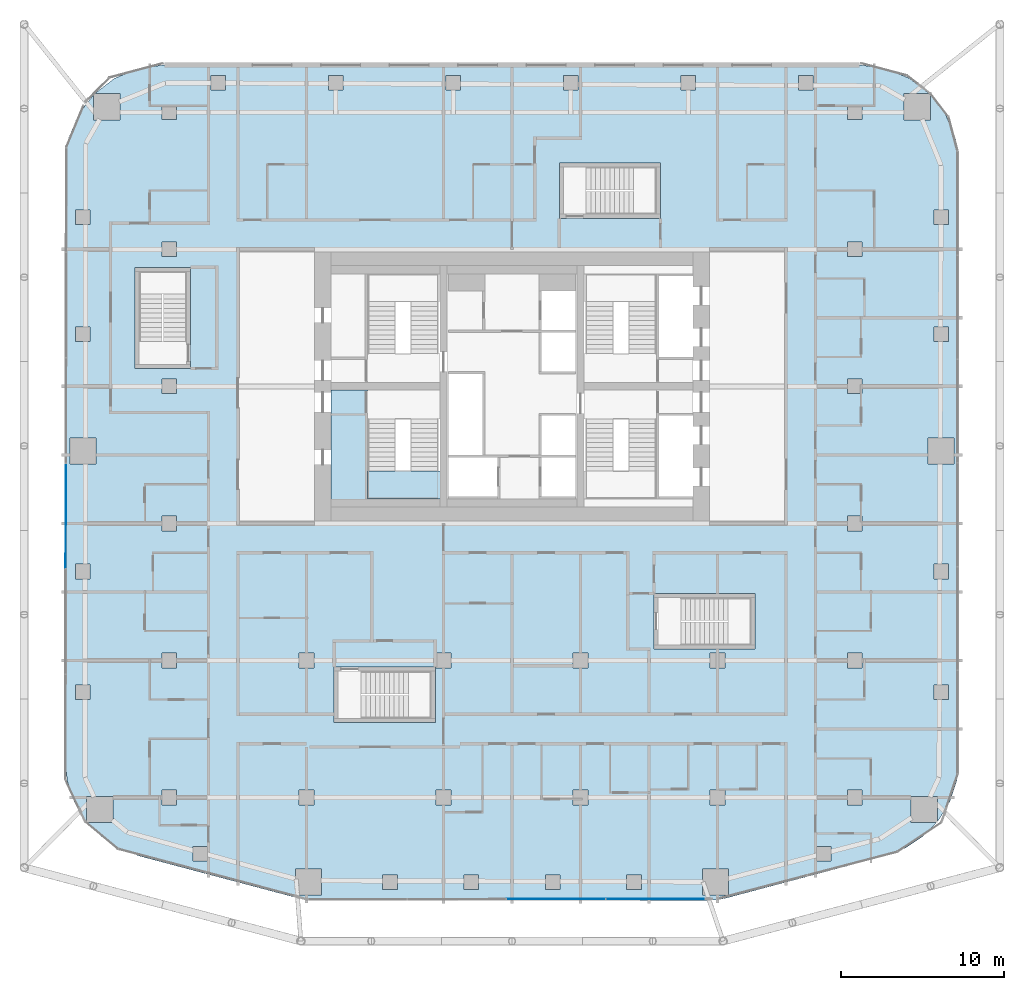
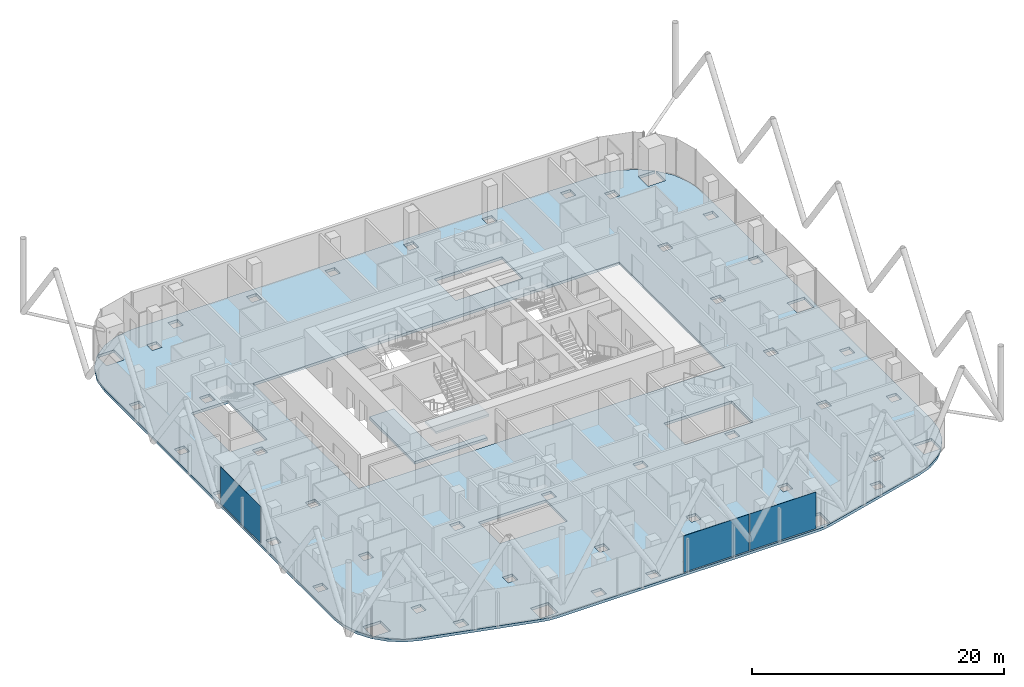
# One storey, part 19 of 33: 3 plates, 3 slabs, 3 elements without a shape of their own.
"""IFC4 building model written with IfcOpenShell, lengths in metres."""

from ifc_helpers import new_model, si_unit, direction, frame, origin, origin_2d, place, context, subcontext, project, spatial, polyline, rectangle, outline, extrude, material, layer, layer_set, type_object, element, aggregate, save


model = new_model("IFC4")

# Units and contexts
model_context = context("Model", 3, precision=1e-05, world=origin(), true_north=direction((0.0, 1.0)))
body_context = subcontext(model_context, "Body", "Model", "MODEL_VIEW")
ifc_project = project(units=[si_unit("LENGTHUNIT", "METRE"), si_unit("AREAUNIT", "SQUARE_METRE"), si_unit("VOLUMEUNIT", "CUBIC_METRE"), si_unit("PLANEANGLEUNIT", "RADIAN"), si_unit("MASSUNIT", "GRAM", prefix="KILO")], contexts=[model_context])

# Site, building, storey
site_placement = place(None, origin())
site = spatial("IfcSite", under=ifc_project, at=site_placement, CompositionType="ELEMENT")
building_placement = place(site_placement, origin())
building = spatial("IfcBuilding", under=site, at=building_placement, Name="Marenta Gate Hotel Tower", CompositionType="ELEMENT")
storey_placement = place(building_placement, frame((0.0, 0.0, 137.300048828125)))
storey = spatial("IfcBuildingStorey", under=building, at=storey_placement, Name="L31", CompositionType="ELEMENT", Elevation=137.300048828125)

# Slabs
ifc_material_1 = material(Name="Concrete C35", Category="concrete")
ifc_layer_1 = layer(ifc_material_1, 0.260009765625)
ifc_layer_set_1 = layer_set([ifc_layer_1], Name="Concrete C35")
slab_type_1 = type_object("IfcSlabType", Name="Concrete floor slab 260", PredefinedType="FLOOR", material=ifc_layer_set_1)
slab_1_placement = place(storey_placement, frame((0.0, 0.0, -0.260009765625)))
element("IfcSlab", 1, at=slab_1_placement, inside=storey, type_object=slab_type_1, Name="L31-SL-1", PredefinedType="FLOOR", context=body_context, shape_type="SweptSolid", body=[
    extrude(outline(polyline([(-25.213623046875, -19.1640625), (-26.011474609375, -18.3330078125), (-24.462890625, -18.3330078125), (-24.462890625, -16.73291015625), (-26.06298828125, -16.73291015625), (-26.06298828125, -18.279296875), (-26.13525390625, -18.2041015625), (-26.826904296875, -17.06689453125), (-27.25537109375, -15.80712890625), (-27.39990234375, -14.48974609375), (-27.39990234375, 22.006591796875), (-27.193115234375, 23.5791015625), (-26.58349609375, 25.050537109375), (-25.635498046875, 26.285888671875), (-25.635498046875, 24.735595703125), (-24.035400390625, 24.735595703125), (-24.035400390625, 26.33544921875), (-25.585693359375, 26.33544921875), (-24.350341796875, 27.283447265625), (-22.87890625, 27.89306640625), (-21.306640625, 28.10009765625), (21.306640625, 28.10009765625), (22.87890625, 27.89306640625), (24.350341796875, 27.283447265625), (25.585693359375, 26.33544921875), (24.035400390625, 26.33544921875), (24.035400390625, 24.735595703125), (25.635498046875, 24.735595703125), (25.635498046875, 26.285888671875), (26.58349609375, 25.050537109375), (27.193115234375, 23.5791015625), (27.39990234375, 22.006591796875), (27.39990234375, -14.48974609375), (27.25537109375, -15.80712890625), (26.826904296875, -17.06689453125), (26.13525390625, -18.2041015625), (26.06298828125, -18.279296875), (26.06298828125, -16.73291015625), (24.462890625, -16.73291015625), (24.462890625, -18.3330078125), (26.011474609375, -18.3330078125), (25.213623046875, -19.1640625), (24.105712890625, -19.9013671875), (22.86962890625, -20.37890625), (13.126708984375, -22.963623046875), (12.608642578125, -23.065673828125), (12.08154296875, -23.10009765625), (-12.08154296875, -23.10009765625), (-12.608642578125, -23.065673828125), (-13.126708984375, -22.963623046875), (-22.86962890625, -20.37890625), (-24.105712890625, -19.9013671875), (-25.213623046875, -19.1640625)]), holes=[polyline([(-16.800048828125, 0.0), (16.800048828125, 0.0), (16.800048828125, 16.800048828125), (-16.800048828125, 16.800048828125), (-16.800048828125, 0.0)]), polyline([(-18.65673828125, -19.7890625), (-19.556884765625, -19.7890625), (-19.556884765625, -20.689208984375), (-18.65673828125, -20.689208984375), (-18.65673828125, -19.7890625)]), polyline([(-20.550048828125, -17.25), (-20.550048828125, -16.35009765625), (-21.449951171875, -16.35009765625), (-21.449951171875, -17.25), (-20.550048828125, -17.25)]), polyline([(-12.14990234375, -16.35009765625), (-13.050048828125, -16.35009765625), (-13.050048828125, -17.25), (-12.14990234375, -17.25), (-12.14990234375, -16.35009765625)]), polyline([(-25.85009765625, -10.802001953125), (-25.85009765625, -9.90185546875), (-26.75, -9.90185546875), (-26.75, -10.802001953125), (-25.85009765625, -10.802001953125)]), polyline([(-20.550048828125, -8.85009765625), (-20.550048828125, -7.949951171875), (-21.449951171875, -7.949951171875), (-21.449951171875, -8.85009765625), (-20.550048828125, -8.85009765625)]), polyline([(-25.85009765625, -2.5009765625), (-26.75, -2.5009765625), (-26.75, -3.40087890625), (-25.85009765625, -3.40087890625), (-25.85009765625, -2.5009765625)]), polyline([(-20.550048828125, -0.449951171875), (-20.550048828125, 0.449951171875), (-21.449951171875, 0.449951171875), (-21.449951171875, -0.449951171875), (-20.550048828125, -0.449951171875)]), polyline([(-25.5, 3.64990234375), (-25.5, 5.25), (-27.10009765625, 5.25), (-27.10009765625, 3.64990234375), (-25.5, 3.64990234375)]), polyline([(-20.550048828125, 8.85009765625), (-21.449951171875, 8.85009765625), (-21.449951171875, 7.949951171875), (-20.550048828125, 7.949951171875), (-20.550048828125, 8.85009765625)]), polyline([(-25.85009765625, 11.1533203125), (-25.85009765625, 12.05322265625), (-26.75, 12.05322265625), (-26.75, 11.1533203125), (-25.85009765625, 11.1533203125)]), polyline([(-20.550048828125, 16.35009765625), (-20.550048828125, 17.25), (-21.449951171875, 17.25), (-21.449951171875, 16.35009765625), (-20.550048828125, 16.35009765625)]), polyline([(-25.85009765625, 19.206298828125), (-26.75, 19.206298828125), (-26.75, 18.306396484375), (-25.85009765625, 18.306396484375), (-25.85009765625, 19.206298828125)]), polyline([(-20.550048828125, 24.75), (-20.550048828125, 25.64990234375), (-21.449951171875, 25.64990234375), (-21.449951171875, 24.75), (-20.550048828125, 24.75)]), polyline([(-17.556884765625, 27.449951171875), (-18.456787109375, 27.449951171875), (-18.456787109375, 26.550048828125), (-17.556884765625, 26.550048828125), (-17.556884765625, 27.449951171875)]), polyline([(-7.030029296875, -22.449951171875), (-7.030029296875, -21.550048828125), (-7.93017578125, -21.550048828125), (-7.93017578125, -22.449951171875), (-7.030029296875, -22.449951171875)]), polyline([(-2.04345703125, -22.449951171875), (-2.04345703125, -21.550048828125), (-2.943359375, -21.550048828125), (-2.943359375, -22.449951171875), (-2.04345703125, -22.449951171875)]), polyline([(2.943359375, -21.550048828125), (2.04345703125, -21.550048828125), (2.04345703125, -22.449951171875), (2.943359375, -22.449951171875), (2.943359375, -21.550048828125)]), polyline([(7.93017578125, -22.449951171875), (7.93017578125, -21.550048828125), (7.030029296875, -21.550048828125), (7.030029296875, -22.449951171875), (7.93017578125, -22.449951171875)]), polyline([(-11.666259765625, -22.77490234375), (-11.666259765625, -21.1748046875), (-13.266357421875, -21.1748046875), (-13.266357421875, -22.77490234375), (-11.666259765625, -22.77490234375)]), polyline([(13.266357421875, -21.1748046875), (11.666259765625, -21.1748046875), (11.666259765625, -22.77490234375), (13.266357421875, -22.77490234375), (13.266357421875, -21.1748046875)]), polyline([(-3.75, -17.25), (-3.75, -16.35009765625), (-4.64990234375, -16.35009765625), (-4.64990234375, -17.25), (-3.75, -17.25)]), polyline([(4.64990234375, -17.25), (4.64990234375, -16.35009765625), (3.75, -16.35009765625), (3.75, -17.25), (4.64990234375, -17.25)]), polyline([(13.050048828125, -16.35009765625), (12.14990234375, -16.35009765625), (12.14990234375, -17.25), (13.050048828125, -17.25), (13.050048828125, -16.35009765625)]), polyline([(-12.14990234375, -8.85009765625), (-12.14990234375, -7.949951171875), (-13.050048828125, -7.949951171875), (-13.050048828125, -8.85009765625), (-12.14990234375, -8.85009765625)]), polyline([(-3.75, -8.85009765625), (-3.75, -7.949951171875), (-4.64990234375, -7.949951171875), (-4.64990234375, -8.85009765625), (-3.75, -8.85009765625)]), polyline([(4.64990234375, -7.949951171875), (3.75, -7.949951171875), (3.75, -8.85009765625), (4.64990234375, -8.85009765625), (4.64990234375, -7.949951171875)]), polyline([(-10.35400390625, 26.550048828125), (-10.35400390625, 27.449951171875), (-11.254150390625, 27.449951171875), (-11.254150390625, 26.550048828125), (-10.35400390625, 26.550048828125)]), polyline([(-3.1513671875, 26.550048828125), (-3.1513671875, 27.449951171875), (-4.051513671875, 27.449951171875), (-4.051513671875, 26.550048828125), (-3.1513671875, 26.550048828125)]), polyline([(4.051513671875, 27.449951171875), (3.1513671875, 27.449951171875), (3.1513671875, 26.550048828125), (4.051513671875, 26.550048828125), (4.051513671875, 27.449951171875)]), polyline([(11.254150390625, 26.550048828125), (11.254150390625, 27.449951171875), (10.35400390625, 27.449951171875), (10.35400390625, 26.550048828125), (11.254150390625, 26.550048828125)]), polyline([(19.556884765625, -20.689208984375), (19.556884765625, -19.7890625), (18.65673828125, -19.7890625), (18.65673828125, -20.689208984375), (19.556884765625, -20.689208984375)]), polyline([(21.449951171875, -17.25), (21.449951171875, -16.35009765625), (20.550048828125, -16.35009765625), (20.550048828125, -17.25), (21.449951171875, -17.25)]), polyline([(26.75, -10.802001953125), (26.75, -9.90185546875), (25.85009765625, -9.90185546875), (25.85009765625, -10.802001953125), (26.75, -10.802001953125)]), polyline([(13.050048828125, -7.949951171875), (12.14990234375, -7.949951171875), (12.14990234375, -8.85009765625), (13.050048828125, -8.85009765625), (13.050048828125, -7.949951171875)]), polyline([(21.449951171875, -8.85009765625), (21.449951171875, -7.949951171875), (20.550048828125, -7.949951171875), (20.550048828125, -8.85009765625), (21.449951171875, -8.85009765625)]), polyline([(26.75, -3.40087890625), (26.75, -2.5009765625), (25.85009765625, -2.5009765625), (25.85009765625, -3.40087890625), (26.75, -3.40087890625)]), polyline([(21.449951171875, 0.449951171875), (20.550048828125, 0.449951171875), (20.550048828125, -0.449951171875), (21.449951171875, -0.449951171875), (21.449951171875, 0.449951171875)]), polyline([(27.10009765625, 3.64990234375), (27.10009765625, 5.25), (25.5, 5.25), (25.5, 3.64990234375), (27.10009765625, 3.64990234375)]), polyline([(21.449951171875, 7.949951171875), (21.449951171875, 8.85009765625), (20.550048828125, 8.85009765625), (20.550048828125, 7.949951171875), (21.449951171875, 7.949951171875)]), polyline([(26.75, 12.05322265625), (25.85009765625, 12.05322265625), (25.85009765625, 11.1533203125), (26.75, 11.1533203125), (26.75, 12.05322265625)]), polyline([(21.449951171875, 16.35009765625), (21.449951171875, 17.25), (20.550048828125, 17.25), (20.550048828125, 16.35009765625), (21.449951171875, 16.35009765625)]), polyline([(26.75, 18.306396484375), (26.75, 19.206298828125), (25.85009765625, 19.206298828125), (25.85009765625, 18.306396484375), (26.75, 18.306396484375)]), polyline([(21.449951171875, 25.64990234375), (20.550048828125, 25.64990234375), (20.550048828125, 24.75), (21.449951171875, 24.75), (21.449951171875, 25.64990234375)]), polyline([(18.456787109375, 26.550048828125), (18.456787109375, 27.449951171875), (17.556884765625, 27.449951171875), (17.556884765625, 26.550048828125), (18.456787109375, 26.550048828125)]), polyline([(-10.89990234375, -12.199951171875), (-4.699951171875, -12.199951171875), (-4.699951171875, -8.800048828125), (-10.89990234375, -8.800048828125), (-10.89990234375, -12.199951171875)]), polyline([(8.699951171875, -7.699951171875), (14.89990234375, -7.699951171875), (14.89990234375, -4.300048828125), (8.699951171875, -4.300048828125), (8.699951171875, -7.699951171875)]), polyline([(-23.10009765625, 9.5), (-19.699951171875, 9.5), (-19.699951171875, 15.699951171875), (-23.10009765625, 15.699951171875), (-23.10009765625, 9.5)]), polyline([(2.89990234375, 18.699951171875), (9.10009765625, 18.699951171875), (9.10009765625, 22.10009765625), (2.89990234375, 22.10009765625), (2.89990234375, 18.699951171875)])]), origin(), (0.0, 0.0, 1.0), 0.260009765625),
])
ifc_material_2 = material(Name="Concrete C40", Category="concrete")
ifc_layer_2 = layer(ifc_material_2, 0.260009765625)
ifc_layer_set_2 = layer_set([ifc_layer_2], Name="Concrete C40")
slab_type_2 = type_object("IfcSlabType", Name="Core floor slab 260", PredefinedType="FLOOR", material=ifc_layer_set_2)
slab_2_placement = place(storey_placement, frame((0.0, 0.0, -0.260009765625)))
element("IfcSlab", 2, at=slab_2_placement, inside=storey, type_object=slab_type_2, Name="L31-CF-5", PredefinedType="FLOOR", context=body_context, shape_type="SweptSolid", body=[
    extrude(outline(polyline([(-8.85009765625, 8.175048828125), (-8.85009765625, 8.10009765625), (-8.85009765625, 6.39990234375), (-8.85009765625, 1.5), (-4.425048828125, 1.5), (-4.425048828125, 1.0), (-11.10009765625, 1.0), (-11.10009765625, 8.175048828125), (-8.85009765625, 8.175048828125)])), origin(), (0.0, 0.0, 1.0), 0.260009765625),
])

# Stair, slab
ifc_material_3 = material(Name="Concrete C40", Category="concrete")
stair_type = type_object("IfcStairType", Name="Core exit stair 1700 wide", PredefinedType="HALF_TURN_STAIR", material=ifc_material_3)
stair_placement = place(storey_placement, origin())
stair = element("IfcStair", 3, at=stair_placement, inside=storey, type_object=stair_type, Name="Exit stair 1", PredefinedType="HALF_TURN_STAIR")
ifc_material_4 = material(Name="Concrete C40", Category="concrete")
ifc_layer_3 = layer(ifc_material_4, 0.199951171875)
ifc_layer_set_3 = layer_set([ifc_layer_3], Name="Concrete C40")
slab_type_3 = type_object("IfcSlabType", Name="Core stair landing 200", PredefinedType="LANDING", material=ifc_layer_set_3)
slab_3_placement = place(storey_placement, frame((0.0, 0.0, 1.599853515625)))
slab_3 = element("IfcSlab", 4, at=slab_3_placement, type_object=slab_type_3, Name="SL-200 ST1 landing 1", PredefinedType="LANDING", context=body_context, shape_type="SweptSolid", body=[
    extrude(outline(polyline([(-8.85009765625, 1.5), (-3.97509765625, 1.5), (-3.97509765625, 3.2099609375), (-8.85009765625, 3.2099609375), (-8.85009765625, 1.5)])), origin(), (0.0, 0.0, 1.0), 0.2001953125),
])
aggregate(stair, [slab_3])

# Curtain wall, plate
ifc_material_5 = material(Name="Tinted insulated glass in bronze anodised frame", Category="glass")
ifc_layer_4 = layer(ifc_material_5, 0.1201171875)
ifc_layer_set_4 = layer_set([ifc_layer_4], Name="Tinted insulated glass in bronze anodised frame")
curtain_wall_type = type_object("IfcCurtainWallType", Name="Tower unitised curtain wall CW1", PredefinedType="NOTDEFINED", material=ifc_layer_set_4)
curtain_wall_1_placement = place(storey_placement, origin())
curtain_wall_1 = element("IfcCurtainWall", 5, at=curtain_wall_1_placement, inside=storey, type_object=curtain_wall_type, Name="CW1 run G04", PredefinedType="NOTDEFINED")
ifc_material_6 = material(Name="Tinted insulated glass", Category="glass")
ifc_layer_5 = layer(ifc_material_6, 0.028076171875)
ifc_layer_set_5 = layer_set([ifc_layer_5], Name="Tinted insulated glass")
plate_type = type_object("IfcPlateType", Name="Glass panel CW1 28 mm tinted insulated unit", PredefinedType="CURTAIN_PANEL", material=ifc_layer_set_5)
plate_1_placement = place(storey_placement, frame((-27.34765625, 0.456298828125, 0.059814453125), z_axis=(0.0, 0.0, 1.0), x_axis=(-0.001566045546, -0.99999877375, 0.0)))
plate_1 = element("IfcPlate", 6, at=plate_1_placement, type_object=plate_type, Name="CW1 panel 4.1", PredefinedType="CURTAIN_PANEL", context=body_context, shape_type="SweptSolid", body=[
    extrude(rectangle(XDim=6.39990234375, YDim=0.028076171875, at=origin_2d()), origin(), (0.0, 0.0, 1.0), 3.5400390625),
])
aggregate(curtain_wall_1, [plate_1])

# Curtain wall, plates
curtain_wall_2_placement = place(storey_placement, origin())
curtain_wall_2 = element("IfcCurtainWall", 7, at=curtain_wall_2_placement, inside=storey, type_object=curtain_wall_type, Name="CW1 run G12", PredefinedType="NOTDEFINED")
plate_2_placement = place(storey_placement, frame((2.69873046875, -23.02685546875, 0.059814453125), z_axis=(0.0, 0.0, 1.0), x_axis=(0.999999068791, 0.00136470383, 0.0)))
plate_2 = element("IfcPlate", 8, at=plate_2_placement, type_object=plate_type, Name="CW1 panel 3.1", PredefinedType="CURTAIN_PANEL", context=body_context, shape_type="SweptSolid", body=[
    extrude(rectangle(XDim=6.02197265625, YDim=0.028076171875, at=origin_2d()), origin(), (0.0, 0.0, 1.0), 3.5400390625),
])
plate_3_placement = place(storey_placement, frame((8.795654296875, -23.018310546875, 0.059814453125), z_axis=(0.0, 0.0, 1.0), x_axis=(0.999999068791, 0.00136470383, 0.0)))
plate_3 = element("IfcPlate", 9, at=plate_3_placement, type_object=plate_type, Name="CW1 panel 4.1", PredefinedType="CURTAIN_PANEL", context=body_context, shape_type="SweptSolid", body=[
    extrude(rectangle(XDim=6.052001953125, YDim=0.028076171875, at=origin_2d()), origin(), (0.0, 0.0, 1.0), 3.5400390625),
])
aggregate(curtain_wall_2, [plate_2, plate_3])

save(model, "model.ifc")
